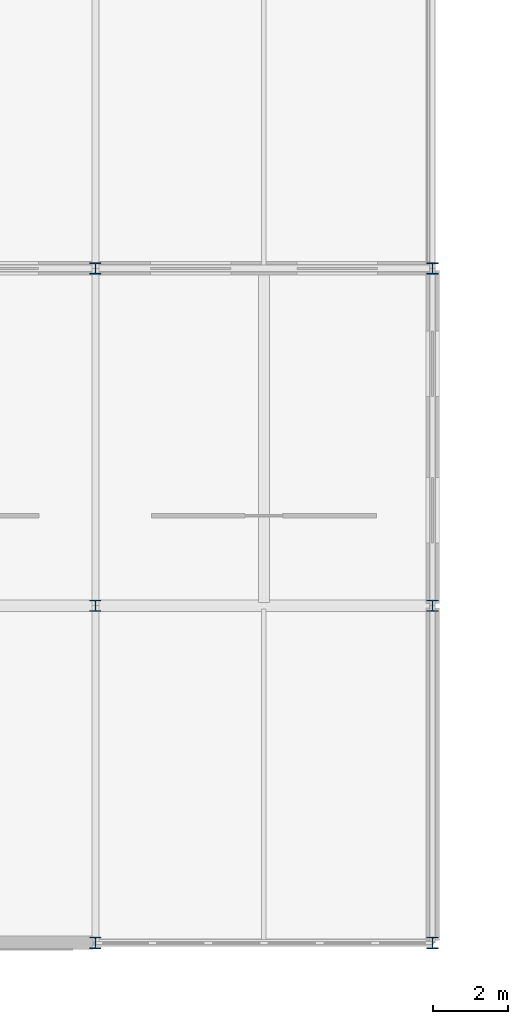
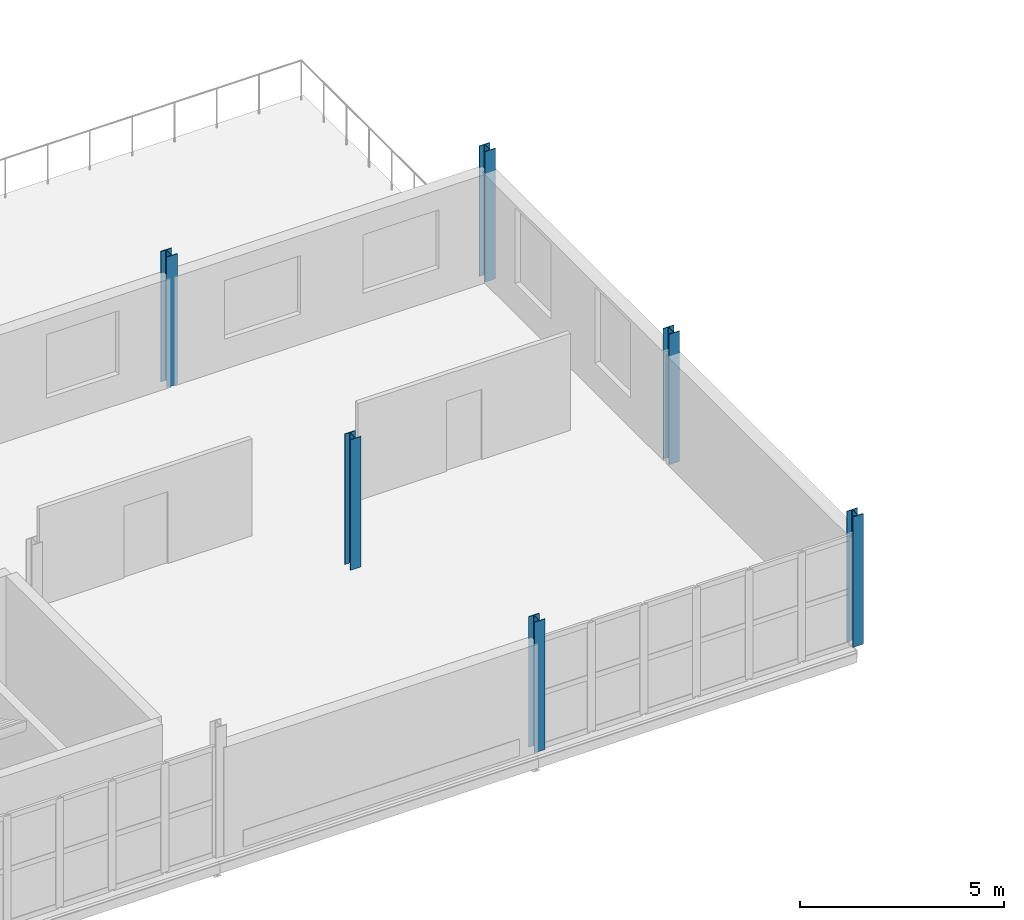
# One storey, part 4 of 123: 6 columns.
"""IFC4 building model written with IfcOpenShell, lengths in metres."""

from ifc_helpers import new_model, si_unit, direction, frame, origin, origin_2d, place, context, subcontext, project, spatial, i_section, extrude, material, material_profile, profile_set, type_object, element, save


model = new_model("IFC4")

# Units and contexts
model_context = context("Model", 3, precision=1e-05, world=origin(), true_north=direction((0.0, 1.0)))
body_context = subcontext(model_context, "Body", "Model", "MODEL_VIEW")
ifc_project = project(units=[si_unit("LENGTHUNIT", "METRE"), si_unit("AREAUNIT", "SQUARE_METRE"), si_unit("VOLUMEUNIT", "CUBIC_METRE"), si_unit("PLANEANGLEUNIT", "RADIAN"), si_unit("MASSUNIT", "GRAM", prefix="KILO")], contexts=[model_context])

# Site, building, storey
site_placement = place(None, origin())
site = spatial("IfcSite", under=ifc_project, at=site_placement, CompositionType="ELEMENT")
building_placement = place(site_placement, origin())
building = spatial("IfcBuilding", under=site, at=building_placement, Name="Kildeholm Park Wholesale Market", CompositionType="ELEMENT")
storey_placement = place(building_placement, frame((0.0, 0.0, 9.60009765625)))
storey = spatial("IfcBuildingStorey", under=building, at=storey_placement, Name="L02", CompositionType="ELEMENT", Elevation=9.60009765625)

# Columns
ifc_material = material(Name="Steel S355", Category="steel")
ifc_material_profile = material_profile(ifc_material, i_section(OverallWidth=0.300048828125, OverallDepth=0.300048828125, WebThickness=0.010986328125, FlangeThickness=0.01904296875, FilletRadius=0.027099609375, at=origin_2d()), Name="HEB 300")
ifc_profile_set = profile_set([ifc_material_profile], Name="Steel S355")
column_type = type_object("IfcColumnType", Name="Column C-S03 HEB 300", PredefinedType="COLUMN", material=ifc_profile_set)
for number, where, z_axis, x_axis, name in (
    (1, (72.0, 0.0, 0.0), (0.0, 0.0, 1.0), (1.0, 0.0, 0.0), "Column V5W-072-000 L02 COL-0737"),
    (2, (72.0, 9.0, 0.0), (0.0, 0.0, 1.0), (1.0, 0.0, 0.0), "Column V5W-072-009 L02 COL-0741"),
    (3, (72.0, 18.0, 0.0), (0.0, 0.0, 1.0), (1.0, 0.0, 0.0), "Column V5W-072-018 L02 COL-0745"),
    (4, (81.0, 0.0, 0.0), (0.0, 0.0, 1.0), (1.0, 0.0, 0.0), "Column V5W-081-000 L02 COL-0751"),
    (5, (81.0, 9.0, 0.0), (0.0, 0.0, 1.0), (1.0, 0.0, 0.0), "Column V5W-081-009 L02 COL-0754"),
    (6, (81.0, 18.0, 0.0), (0.0, 0.0, 1.0), (1.0, 0.0, 0.0), "Column V5W-081-018 L02 COL-0757"),
):
    element("IfcColumn", number, at=place(storey_placement, frame(where, z_axis=z_axis, x_axis=x_axis)), inside=storey, type_object=column_type, Name=name, PredefinedType="COLUMN", context=body_context, shape_type="SweptSolid", body=[
        extrude(i_section(OverallWidth=0.300048828125, OverallDepth=0.300048828125, WebThickness=0.010986328125, FlangeThickness=0.01904296875, FilletRadius=0.027099609375, at=origin_2d()), origin(), (0.0, 0.0, 1.0), 3.89990234375),
    ])

save(model, "model.ifc")
